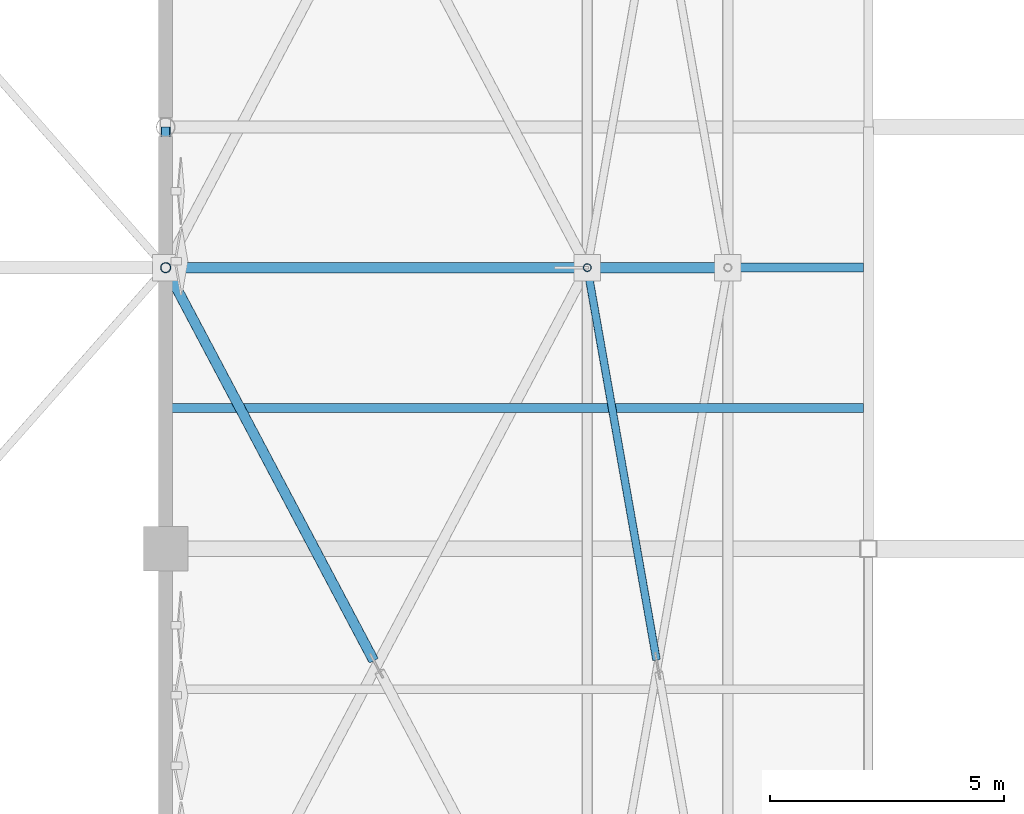
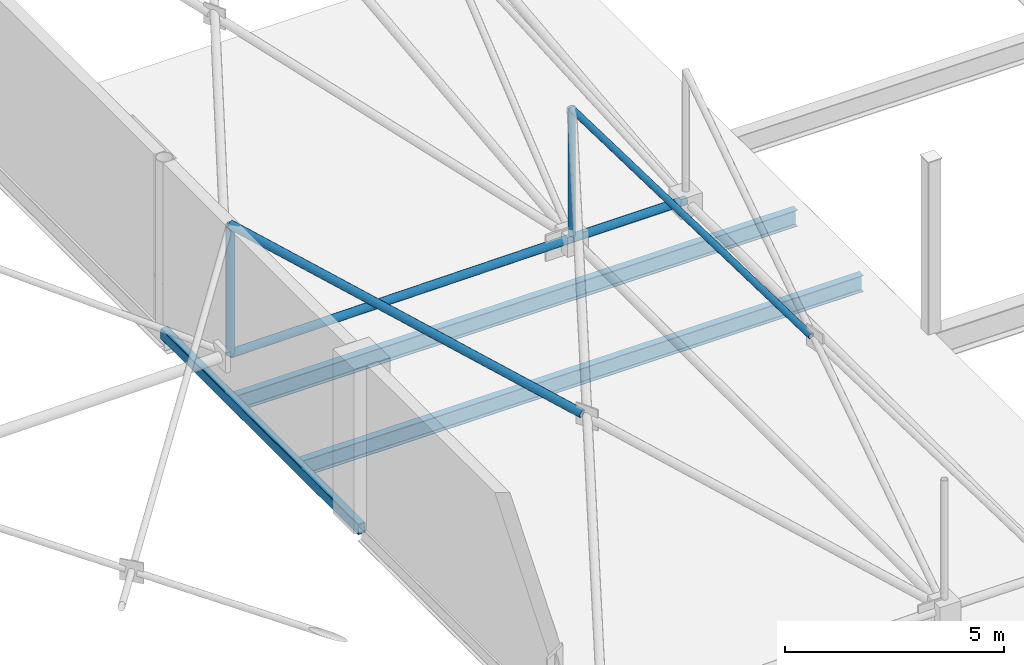
# One storey, part 142 of 224: 6 members, 3 beams.
"""IFC4 building model written with IfcOpenShell, lengths in metres."""

import ifcopenshell
import ifcopenshell.guid

model = None  # the IFC model being written
_history = None  # IfcOwnerHistory: only IFC2X3 demands one
_inside = {}  # id of a spatial element -> (the spatial element, [elements in it])
_under = {}  # id of a project, library or spatial element -> (it, [spatial elements below it])
_declared = {}  # id of a project -> (the project, [libraries it declares])
_typed = {}  # id of a type object -> (the type object, [elements of that type])
_made_of = {}  # id of a material, layer set ... -> (it, [elements and type objects made of it])


def new_model(schema):
    """Start an empty IFC model of exactly this schema.

    Asked for "IFC4X3", IfcOpenShell would pick the latest addendum, in which some entities
    have other attributes; the version numbers below select the first issue.
    IFC2X3 requires an IfcOwnerHistory on every rooted entity: one is made here for all.
    """
    global model, _history
    if schema == "IFC4X3":
        model = ifcopenshell.file(schema_version=(4, 3, 0, 0))
    else:
        model = ifcopenshell.file(schema=schema)
    _inside.clear()
    _under.clear()
    _declared.clear()
    _typed.clear()
    _made_of.clear()
    _history = None
    if model.schema == "IFC2X3":
        org = make("IfcOrganization", Name="unknown")
        user = make(
            "IfcPersonAndOrganization",
            ThePerson=make("IfcPerson", FamilyName="unknown"),
            TheOrganization=org,
        )
        app = make(
            "IfcApplication",
            ApplicationDeveloper=org,
            Version="unknown",
            ApplicationFullName="unknown",
            ApplicationIdentifier="unknown",
        )
        _history = make(
            "IfcOwnerHistory",
            OwningUser=user,
            OwningApplication=app,
            ChangeAction="ADDED",
            CreationDate=0,
        )
    return model


def make(cls, **values):
    """One entity of the class cls with the attributes given. An attribute that is None is left unset."""
    return model.create_entity(
        cls, **{name: value for name, value in values.items() if value is not None}
    )


def rooted(cls, **values):
    """An entity with a GlobalId (a new one), such as an element, a storey or a relation."""
    return make(cls, GlobalId=ifcopenshell.guid.new(), OwnerHistory=_history, **values)


def si_unit(unit_type, name, prefix=None):
    """IfcSIUnit, for example si_unit("LENGTHUNIT", "METRE", prefix="MILLI")."""
    return make("IfcSIUnit", UnitType=unit_type, Prefix=prefix, Name=name)


def assignment(units):
    """IfcUnitAssignment: the units of a project."""
    return None if units is None else make("IfcUnitAssignment", Units=units)


def point(xyz):
    """IfcCartesianPoint."""
    return None if xyz is None else make("IfcCartesianPoint", Coordinates=xyz)


def direction(xyz):
    """IfcDirection."""
    return None if xyz is None else make("IfcDirection", DirectionRatios=xyz)


def frame(location, z_axis=None, x_axis=None):
    """IfcAxis2Placement3D, a coordinate frame: its origin and axes. An axis left out is left unset."""
    return make(
        "IfcAxis2Placement3D",
        Location=point(location),
        Axis=direction(z_axis),
        RefDirection=direction(x_axis),
    )


def frame_2d(location, x_axis=None):
    """IfcAxis2Placement2D, a coordinate frame in the plane: its origin and x axis."""
    return make(
        "IfcAxis2Placement2D", Location=point(location), RefDirection=direction(x_axis)
    )


def origin():
    """The frame at (0, 0, 0) with its axes left unset."""
    return frame((0.0, 0.0, 0.0))


def origin_2d():
    """The frame at (0, 0) in the plane with its x axis left unset."""
    return frame_2d((0.0, 0.0))


def place(relative_to, where):
    """IfcLocalPlacement: puts the frame where relative to a parent placement (None: the world)."""
    return make(
        "IfcLocalPlacement", PlacementRelTo=relative_to, RelativePlacement=where
    )


def context(
    kind, dimensions, precision=None, world=None, true_north=None, identifier=None
):
    """IfcGeometricRepresentationContext, for example the 3D "Model" context."""
    return make(
        "IfcGeometricRepresentationContext",
        ContextIdentifier=identifier,
        ContextType=kind,
        CoordinateSpaceDimension=dimensions,
        Precision=precision,
        WorldCoordinateSystem=world,
        TrueNorth=true_north,
    )


def subcontext(parent, identifier, kind, view, scale=None):
    """IfcGeometricRepresentationSubContext, for example "Body" below "Model"."""
    return make(
        "IfcGeometricRepresentationSubContext",
        ContextIdentifier=identifier,
        ContextType=kind,
        ParentContext=parent,
        TargetScale=scale,
        TargetView=view,
    )


def project(units=None, contexts=None):
    """IfcProject with its units and contexts."""
    return rooted(
        "IfcProject",
        Name="project",
        RepresentationContexts=contexts,
        UnitsInContext=assignment(units),
    )


def spatial(cls, under=None, at=None, **own):
    """A site, building, storey or space (cls), placed at a placement, below another one or the project."""
    s = rooted(cls, ObjectPlacement=at, **own)
    if under is not None:
        _under.setdefault(under.id(), (under, []))[1].append(s)
    return s


def profile(cls, at=None, kind="AREA", **sizes):
    """A parametric profile (cls). Its sizes go by their IFC names, for example OverallWidth=200.0."""
    return make(cls, ProfileType=kind, Position=at, **sizes)


def hollow_rectangle(**sizes):
    """IfcRectangleHollowProfileDef."""
    return profile("IfcRectangleHollowProfileDef", **sizes)


def hollow_circle(**sizes):
    """IfcCircleHollowProfileDef."""
    return profile("IfcCircleHollowProfileDef", **sizes)


def i_section(**sizes):
    """IfcIShapeProfileDef."""
    return profile("IfcIShapeProfileDef", **sizes)


def extrude(swept, where, along, depth):
    """IfcExtrudedAreaSolid: the profile swept, set in the frame where, extruded along a direction by depth."""
    return make(
        "IfcExtrudedAreaSolid",
        SweptArea=swept,
        Position=where,
        ExtrudedDirection=direction(along),
        Depth=depth,
    )


def shape(context_of_items, identifier, shape_type, items):
    """IfcShapeRepresentation: the items that make up one representation, for example the "Body"."""
    return make(
        "IfcShapeRepresentation",
        ContextOfItems=context_of_items,
        RepresentationIdentifier=identifier,
        RepresentationType=shape_type,
        Items=items,
    )


def material(Name=None, Category=None):
    """IfcMaterial."""
    return make("IfcMaterial", Name=Name, Category=Category)


def material_profile(
    of_material, cross_section, Name=None, Category=None, Priority=None
):
    """IfcMaterialProfile: a cross section and its material."""
    return make(
        "IfcMaterialProfile",
        Name=Name,
        Material=of_material,
        Profile=cross_section,
        Priority=Priority,
        Category=Category,
    )


def profile_set(profiles, Name=None, composite=None):
    """IfcMaterialProfileSet."""
    return make(
        "IfcMaterialProfileSet",
        Name=Name,
        MaterialProfiles=profiles,
        CompositeProfile=composite,
    )


def made_of(thing, what):
    """Note that an element or type object is made of a material, layer set ...; save() writes the relation."""
    if what is not None:
        _made_of.setdefault(what.id(), (what, []))[1].append(thing)
    return thing


def type_object(cls, material=None, **own):
    """A type object (cls), such as IfcWallType, which elements share."""
    return made_of(rooted(cls, **own), material)


def element(
    cls,
    number,
    at=None,
    inside=None,
    cuts=None,
    type_object=None,
    material=None,
    context=None,
    identifier="Body",
    shape_type=None,
    held_by="IfcProductDefinitionShape",
    body=None,
    shapes=None,
    **own,
):
    """One element of the class cls, such as IfcWall. Its Tag is "e" and its number.

    at: its placement. inside: the storey or other place that contains it. cuts: it is an
    opening in that element (IfcRelVoidsElement). A single representation is given by context,
    identifier, shape_type and body (its items); several are given by shapes. held_by: the class
    of the entity that holds the representations. save() writes the other relations.
    """
    e = rooted(cls, Tag="e%d" % number, ObjectPlacement=at, **own)
    if body is not None:
        shapes = [shape(context, identifier, shape_type, body)]
    if shapes is not None:
        e.Representation = make(held_by, Representations=shapes)
    if inside is not None:
        _inside.setdefault(inside.id(), (inside, []))[1].append(e)
    if cuts is not None:
        rooted(
            "IfcRelVoidsElement", RelatingBuildingElement=cuts, RelatedOpeningElement=e
        )
    if type_object is not None:
        _typed.setdefault(type_object.id(), (type_object, []))[1].append(e)
    return made_of(e, material)


def aggregate(whole, parts):
    """IfcRelAggregates: a whole, such as a stair, and the parts it consists of."""
    return rooted("IfcRelAggregates", RelatingObject=whole, RelatedObjects=parts)


def save(model, path):
    """Write the relations noted so far, then the file.

    IfcRelAggregates (storeys below a building ...), IfcRelContainedInSpatialStructure (elements
    in a storey), IfcRelDefinesByType, IfcRelAssociatesMaterial and IfcRelDeclares: one each for
    every whole, place, type object, material and project.
    """
    for whole, parts in _under.values():
        aggregate(whole, parts)
    for where, things in _inside.values():
        rooted(
            "IfcRelContainedInSpatialStructure",
            RelatedElements=things,
            RelatingStructure=where,
        )
    for kind, things in _typed.values():
        rooted("IfcRelDefinesByType", RelatedObjects=things, RelatingType=kind)
    for what, things in _made_of.values():
        rooted("IfcRelAssociatesMaterial", RelatedObjects=things, RelatingMaterial=what)
    for by, libraries in _declared.values():
        rooted("IfcRelDeclares", RelatingContext=by, RelatedDefinitions=libraries)
    model.write(path)


model = new_model("IFC4")

# Units and contexts
model_context = context("Model", 3, precision=1e-05, world=origin(), true_north=direction((0.0, 1.0)))
body_context = subcontext(model_context, "Body", "Model", "MODEL_VIEW")
ifc_project = project(units=[si_unit("LENGTHUNIT", "METRE"), si_unit("AREAUNIT", "SQUARE_METRE"), si_unit("VOLUMEUNIT", "CUBIC_METRE"), si_unit("PLANEANGLEUNIT", "RADIAN"), si_unit("MASSUNIT", "GRAM", prefix="KILO")], contexts=[model_context])

# Site, building, storey
site_placement = place(None, origin())
site = spatial("IfcSite", under=ifc_project, at=site_placement, CompositionType="ELEMENT")
building_placement = place(site_placement, origin())
building = spatial("IfcBuilding", under=site, at=building_placement, Name="Qamarlyn Nura Convention Centre", CompositionType="ELEMENT")
storey_placement = place(building_placement, frame((0.0, 0.0, 10.800048828125)))
storey = spatial("IfcBuildingStorey", under=building, at=storey_placement, Name="L02", CompositionType="ELEMENT", Elevation=10.800048828125)

# Beams
ifc_material_1 = material(Name="Steel ASTM A992", Category="steel")
ifc_material_profile_1 = material_profile(ifc_material_1, i_section(OverallWidth=0.18994140625, OverallDepth=0.45703125, WebThickness=0.009033203125, FlangeThickness=0.014404296875, FilletRadius=0.012939453125, at=origin_2d()), Name="W460X74")
ifc_profile_set_1 = profile_set([ifc_material_profile_1], Name="Steel ASTM A992")
beam_type_1 = type_object("IfcBeamType", Name="BM-JOIST-460", PredefinedType="JOIST", material=ifc_profile_set_1)
for number, where, z_axis, x_axis, name in (
    (1, (120.10009765625, 66.0, -0.448486328125), (1.0, 0.0, 0.0), (0.0, 1.0, 0.0), "L02 composite joist 9-11/H+1"),
    (2, (120.10009765625, 69.0, -0.448486328125), (1.0, 0.0, 0.0), (0.0, 1.0, 0.0), "L02 composite joist 9-11/H+2"),
):
    element("IfcBeam", number, at=place(storey_placement, frame(where, z_axis=z_axis, x_axis=x_axis)), inside=storey, type_object=beam_type_1, Name=name, PredefinedType="JOIST", context=body_context, shape_type="SweptSolid", body=[
        extrude(i_section(OverallWidth=0.18994140625, OverallDepth=0.45703125, WebThickness=0.009033203125, FlangeThickness=0.014404296875, FilletRadius=0.012939453125, at=origin_2d()), origin(), (0.0, 0.0, 1.0), 14.79443359375),
    ])
ifc_material_2 = material(Name="Steel ASTM A500 Grade C", Category="steel")
ifc_material_profile_2 = material_profile(ifc_material_2, hollow_rectangle(XDim=0.199951171875, YDim=0.300048828125, WallThickness=0.012451171875, InnerFilletRadius=0.012451171875, OuterFilletRadius=0.02490234375, at=origin_2d()), Name="HSS300X200X12.5")
ifc_profile_set_2 = profile_set([ifc_material_profile_2], Name="Steel ASTM A500 Grade C")
beam_type_2 = type_object("IfcBeamType", Name="BM-SPAN-HSS", PredefinedType="SPANDREL", material=ifc_profile_set_2)
beam_placement = place(storey_placement, frame((120.0, 63.0, -0.295166015625), z_axis=(0.0, 1.0, 0.0), x_axis=(-1.0, 0.0, 0.0)))
element("IfcBeam", 3, at=beam_placement, inside=storey, type_object=beam_type_2, Name="L02 girder 9 H-J", PredefinedType="SPANDREL", context=body_context, shape_type="SweptSolid", body=[
    extrude(hollow_rectangle(XDim=0.199951171875, YDim=0.300048828125, WallThickness=0.012451171875, InnerFilletRadius=0.012451171875, OuterFilletRadius=0.02490234375, at=origin_2d()), origin(), (0.0, 0.0, 1.0), 9.0),
])

# Members
ifc_material_3 = material(Name="Pearl-white PVDF steel ASTM A500 Grade C", Category="steel")
ifc_material_profile_3 = material_profile(ifc_material_3, hollow_circle(Radius=0.109619140625, WallThickness=0.010009765625, at=origin_2d()), Name="CHS219.1X10")
ifc_profile_set_3 = profile_set([ifc_material_profile_3], Name="Pearl-white PVDF steel ASTM A500 Grade C")
member_type_1 = type_object("IfcMemberType", Name="SF-BC-EAVE", PredefinedType="CHORD", material=ifc_profile_set_3)
member_1_placement = place(storey_placement, frame((120.0, 69.0, 0.937255859375), z_axis=(0.999971155543, 0.0, 0.007595267023), x_axis=(0.0, 1.0, 0.0)))
element("IfcMember", 4, at=member_1_placement, inside=storey, type_object=member_type_1, Name="ROOF TRUSS space frame bottom chord X10-5", PredefinedType="CHORD", context=body_context, shape_type="SweptSolid", body=[
    extrude(hollow_circle(Radius=0.109619140625, WallThickness=0.010009765625, at=origin_2d()), origin(), (0.0, 0.0, 1.0), 9.000244140625),
])
member_2_placement = place(storey_placement, frame((129.0, 69.0, 1.005615234375), z_axis=(0.999998539689, 0.0, 0.001708981879), x_axis=(0.0, 1.0, 0.0)))
element("IfcMember", 5, at=member_2_placement, inside=storey, type_object=member_type_1, Name="ROOF TRUSS space frame bottom chord X11-5", PredefinedType="CHORD", context=body_context, shape_type="SweptSolid", body=[
    extrude(hollow_circle(Radius=0.109619140625, WallThickness=0.010009765625, at=origin_2d()), origin(), (0.0, 0.0, 1.0), 3.0),
])
ifc_material_profile_4 = material_profile(ifc_material_3, hollow_circle(Radius=0.109619140625, WallThickness=0.010009765625, at=origin_2d()), Name="CHS219.1X10")
ifc_profile_set_4 = profile_set([ifc_material_profile_4], Name="Pearl-white PVDF steel ASTM A500 Grade C")
member_type_2 = type_object("IfcMemberType", Name="SF-WEB-HVY", PredefinedType="BRACE", material=ifc_profile_set_4)
member_3_placement = place(storey_placement, frame((124.435546875, 60.62158203125, 2.796630859375), z_axis=(-0.460187117178, 0.869259218808, 0.180599633723), x_axis=(-0.883791674865, -0.467880620926, 0.0)))
element("IfcMember", 6, at=member_3_placement, inside=storey, type_object=member_type_2, Name="ROOF TRUSS space frame split diagonal B2 10-4", PredefinedType="BRACE", context=body_context, shape_type="SweptSolid", body=[
    extrude(hollow_circle(Radius=0.109619140625, WallThickness=0.010009765625, at=origin_2d()), origin(), (0.0, 0.0, 1.0), 9.638671875),
])
member_4_placement = place(storey_placement, frame((120.0, 69.0, 0.937255859375), z_axis=(0.0, 0.0, 1.0), x_axis=(1.0, 0.0, 0.0)))
element("IfcMember", 7, at=member_4_placement, inside=storey, type_object=member_type_2, Name="ROOF TRUSS space frame vertical 10-5", PredefinedType="BRACE", context=body_context, shape_type="SweptSolid", body=[
    extrude(hollow_circle(Radius=0.109619140625, WallThickness=0.010009765625, at=origin_2d()), origin(), (0.0, 0.0, 1.0), 3.60009765625),
])
ifc_material_profile_5 = material_profile(ifc_material_3, hollow_circle(Radius=0.084228515625, WallThickness=0.008056640625, at=origin_2d()), Name="CHS168.3X8")
ifc_profile_set_5 = profile_set([ifc_material_profile_5], Name="Pearl-white PVDF steel ASTM A500 Grade C")
member_type_3 = type_object("IfcMemberType", Name="SF-WEB-STD", PredefinedType="BRACE", material=ifc_profile_set_5)
member_5_placement = place(storey_placement, frame((130.476318359375, 60.635009765625, 2.836669921875), z_axis=(-0.170151850507, 0.964100025453, 0.203861444836), x_axis=(-0.984780665211, -0.17380173022, 0.0)))
element("IfcMember", 8, at=member_5_placement, inside=storey, type_object=member_type_3, Name="ROOF TRUSS space frame split diagonal B2 11-4", PredefinedType="BRACE", context=body_context, shape_type="SweptSolid", body=[
    extrude(hollow_circle(Radius=0.084228515625, WallThickness=0.008056640625, at=origin_2d()), origin(), (0.0, 0.0, 1.0), 8.676513671875),
])
member_6_placement = place(storey_placement, frame((129.0, 69.0, 1.005615234375), z_axis=(0.0, 0.0, 1.0), x_axis=(1.0, 0.0, 0.0)))
element("IfcMember", 9, at=member_6_placement, inside=storey, type_object=member_type_3, Name="ROOF TRUSS space frame vertical 11-5", PredefinedType="BRACE", context=body_context, shape_type="SweptSolid", body=[
    extrude(hollow_circle(Radius=0.084228515625, WallThickness=0.008056640625, at=origin_2d()), origin(), (0.0, 0.0, 1.0), 3.599853515625),
])

save(model, "model.ifc")
